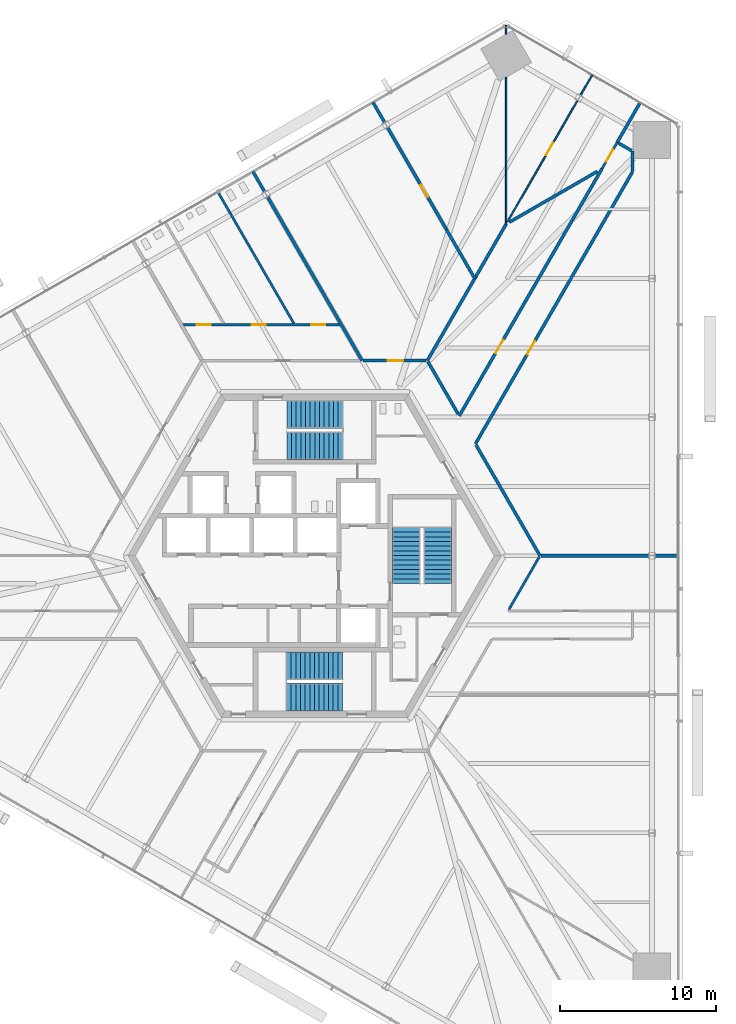
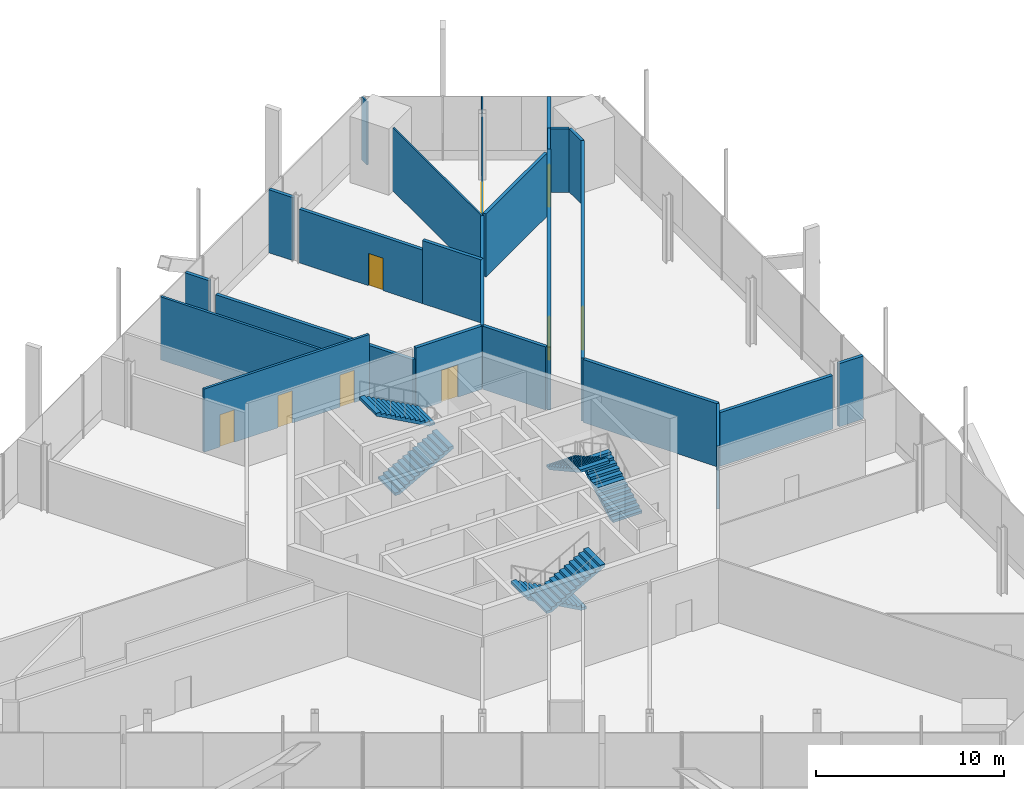
# One storey, part 14 of 19: 25 walls, 9 doors, 6 stair flights, 9 openings, 3 elements without a shape of their own.
"""IFC4 building model written with IfcOpenShell, lengths in metres."""

from ifc_helpers import new_model, si_unit, direction, frame, frame_2d, origin, place, context, subcontext, project, spatial, polyline, rectangle, outline, extrude, source, transform, mapped, material, layer, layer_set, type_object, element, fill, aggregate, save


model = new_model("IFC4")

# Units and contexts
model_context = context("Model", 3, precision=1e-05, world=origin(), true_north=direction((0.0, 1.0)))
body_context = subcontext(model_context, "Body", "Model", "MODEL_VIEW")
ifc_project = project(units=[si_unit("LENGTHUNIT", "METRE"), si_unit("AREAUNIT", "SQUARE_METRE"), si_unit("VOLUMEUNIT", "CUBIC_METRE"), si_unit("PLANEANGLEUNIT", "RADIAN"), si_unit("MASSUNIT", "GRAM", prefix="KILO")], contexts=[model_context])

# Site, building, storey
site_placement = place(None, origin())
site = spatial("IfcSite", under=ifc_project, at=site_placement, CompositionType="ELEMENT")
building_placement = place(site_placement, origin())
building = spatial("IfcBuilding", under=site, at=building_placement, Name="Triune Harvest Tower", CompositionType="ELEMENT")
storey_placement = place(building_placement, frame((0.0, 0.0, 24.60009765625)))
storey = spatial("IfcBuildingStorey", under=building, at=storey_placement, Name="L05", CompositionType="ELEMENT", Elevation=24.60009765625)

# Wall
ifc_material_1 = material(Name="Gypsum board on steel studs", Category="steel")
ifc_layer_1 = layer(ifc_material_1, 0.199951171875)
ifc_layer_set_1 = layer_set([ifc_layer_1], Name="Gypsum board on steel studs")
wall_type_1 = type_object("IfcWallType", Name="Fire Wall 200 mm", PredefinedType="PARTITIONING", material=ifc_layer_set_1)
shared_shape_1 = source(origin(), body_context, "Body", "SweptSolid", [
    extrude(rectangle(XDim=12.14794921875, YDim=0.199951171875, at=frame_2d((6.073974609375, 0.0))), origin(), (0.0, 0.0, 1.0), 3.343017578125),
])
wall_1_placement = place(storey_placement, frame((-3.02685546875, 23.062744140625, 0.0), z_axis=(0.0, 0.0, 1.0), x_axis=(0.499997320042, -0.866026951053, 0.0)))
element("IfcWall", 1, at=wall_1_placement, inside=storey, type_object=wall_type_1, Name="Partition L05 012", PredefinedType="PARTITIONING", context=body_context, shape_type="MappedRepresentation", body=[
    mapped(shared_shape_1, transform((0.0, 0.0, 0.0), scale=1.0)),
])

# Wall, opening, door
shared_shape_2 = source(origin(), body_context, "Body", "SweptSolid", [
    extrude(rectangle(XDim=7.568359375, YDim=0.199951171875, at=frame_2d((3.7841796875, 0.0))), origin(), (0.0, 0.0, 1.0), 3.48779296875),
])
wall_2_placement = place(storey_placement, frame((4.689453125, 27.517578125, 0.0), z_axis=(0.0, 0.0, 1.0), x_axis=(0.499997032024, -0.866027117339, 0.0)))
wall_2 = element("IfcWall", 2, at=wall_2_placement, inside=storey, type_object=wall_type_1, Name="Partition L05 016", PredefinedType="PARTITIONING", context=body_context, shape_type="MappedRepresentation", body=[
    mapped(shared_shape_2, transform((0.0, 0.0, 0.0), scale=1.0)),
])
opening_1_placement = place(wall_2_placement, frame((4.248046875, 0.0, 0.0)))
opening_1 = element("IfcOpeningElement", 3, at=opening_1_placement, cuts=wall_2, Name="Opening L05-008", PredefinedType="OPENING", context=body_context, shape_type="SweptSolid", body=[
    extrude(rectangle(XDim=0.89990234375, YDim=2.10009765625, at=frame_2d((0.449951171875, 1.050048828125))), frame((0.0, 0.10986328125, 0.0), z_axis=(0.0, -1.0, 0.0), x_axis=(1.0, 0.0, 0.0)), (0.0, 0.0, 1.0), 0.219970703125),
])
ifc_material_2 = material(Name="Timber and steel door set", Category="steel")
door_type_1 = type_object("IfcDoorType", Name="Single leaf door FD60 left hand 900 x 2100", OperationType="SINGLE_SWING_LEFT", PredefinedType="DOOR", material=ifc_material_2)
door_1_placement = place(opening_1_placement, origin())
door_1 = element("IfcDoor", 4, at=door_1_placement, inside=storey, type_object=door_type_1, Name="Door L05-008 Cold Store 05.08", OperationType="SINGLE_SWING_LEFT", OverallHeight=2.10009765625, OverallWidth=0.89990234375, PredefinedType="DOOR", context=body_context, shape_type="SweptSolid", body=[
    extrude(rectangle(XDim=0.89990234375, YDim=2.10009765625, at=frame_2d((0.449951171875, 1.050048828125))), frame((0.0, 0.02490234375, 0.0), z_axis=(0.0, -1.0, 0.0), x_axis=(1.0, 0.0, 0.0)), (0.0, 0.0, 1.0), 0.050048828125),
])
fill(opening_1, door_1)

# Walls
shared_shape_3 = source(origin(), body_context, "Body", "SweptSolid", [
    extrude(rectangle(XDim=8.229248046875, YDim=0.199951171875, at=frame_2d((4.11474609375, 0.0))), origin(), (0.0, 0.0, 1.0), 4.099853515625),
])
wall_3_placement = place(storey_placement, frame((10.367919921875, 7.126708984375, 0.0), z_axis=(0.0, 0.0, 1.0), x_axis=(0.500012644715, -0.866018103232, 0.0)))
element("IfcWall", 5, at=wall_3_placement, inside=storey, type_object=wall_type_1, Name="Partition L05 014", PredefinedType="PARTITIONING", context=body_context, shape_type="MappedRepresentation", body=[
    mapped(shared_shape_3, transform((0.0, 0.0, 0.0), scale=1.0)),
])
shared_shape_4 = source(origin(), body_context, "Body", "SweptSolid", [
    extrude(rectangle(XDim=1.49853515625, YDim=0.199951171875, at=frame_2d((0.749267578125, 0.0))), origin(), (0.0, 0.0, 1.0), 4.099853515625),
])
for number, where, z_axis, x_axis, name in (
    (6, (3.746826171875, 29.150146484375, 0.0), (0.0, 0.0, 1.0), (0.499976292358, -0.866039090965, 0.0), "Partition L05 015"),
    (7, (21.872802734375, 0.0, 0.0), (0.0, 0.0, 1.0), (1.0, 0.0, 0.0), "Partition L05 037"),
):
    element("IfcWall", number, at=place(storey_placement, frame(where, z_axis=z_axis, x_axis=x_axis)), inside=storey, type_object=wall_type_1, Name=name, PredefinedType="PARTITIONING", context=body_context, shape_type="MappedRepresentation", body=[
        mapped(shared_shape_4, transform((0.0, 0.0, 0.0), scale=1.0)),
    ])
shared_shape_5 = source(origin(), body_context, "Body", "SweptSolid", [
    extrude(rectangle(XDim=6.933837890625, YDim=0.199951171875, at=frame_2d((3.466796875, 0.0))), origin(), (0.0, 0.0, 1.0), 3.48779296875),
])
wall_4_placement = place(storey_placement, frame((14.552490234375, 0.0, 0.0), z_axis=(0.0, 0.0, 1.0), x_axis=(1.0, 0.0, 0.0)))
element("IfcWall", 8, at=wall_4_placement, inside=storey, type_object=wall_type_1, Name="Partition L05 036", PredefinedType="PARTITIONING", context=body_context, shape_type="MappedRepresentation", body=[
    mapped(shared_shape_5, transform((0.0, 0.0, 0.0), scale=1.0)),
])
ifc_material_3 = material(Name="Gypsum board on steel studs", Category="steel")
ifc_layer_2 = layer(ifc_material_3, 0.10009765625)
ifc_layer_set_2 = layer_set([ifc_layer_2], Name="Gypsum board on steel studs")
wall_type_2 = type_object("IfcWallType", Name="Partition 100 mm", PredefinedType="PARTITIONING", material=ifc_layer_set_2)
shared_shape_6 = source(origin(), body_context, "Body", "SweptSolid", [
    extrude(rectangle(XDim=1.498779296875, YDim=0.10009765625, at=frame_2d((0.74951171875, 0.0))), origin(), (0.0, 0.0, 1.0), 4.099853515625),
])
wall_5_placement = place(storey_placement, frame((17.0908203125, 29.602294921875, 0.0), z_axis=(0.0, 0.0, 1.0), x_axis=(0.499905760005, 0.866079806435, 0.0)))
element("IfcWall", 9, at=wall_5_placement, inside=storey, type_object=wall_type_2, Name="Partition L05 058", PredefinedType="PARTITIONING", context=body_context, shape_type="MappedRepresentation", body=[
    mapped(shared_shape_6, transform((0.0, 0.0, 0.0), scale=1.0)),
])
ifc_material_4 = material(Name="Gypsum board on steel studs", Category="steel")
ifc_layer_3 = layer(ifc_material_4, 0.14990234375)
ifc_layer_set_3 = layer_set([ifc_layer_3], Name="Gypsum board on steel studs")
wall_type_3 = type_object("IfcWallType", Name="Fire Partition 150 mm", PredefinedType="PARTITIONING", material=ifc_layer_set_3)
shared_shape_7 = source(origin(), body_context, "Body", "SweptSolid", [
    extrude(rectangle(XDim=9.763916015625, YDim=0.14990234375, at=frame_2d((4.8818359375, 0.0))), origin(), (0.0, 0.0, 1.0), 4.099853515625),
])
wall_6_placement = place(storey_placement, frame((-6.224609375, 23.393310546875, 0.0), z_axis=(0.0, 0.0, 1.0), x_axis=(0.499990124937, -0.86603110508, 0.0)))
element("IfcWall", 10, at=wall_6_placement, inside=storey, type_object=wall_type_3, Name="Partition L05 010", PredefinedType="PARTITIONING", context=body_context, shape_type="MappedRepresentation", body=[
    mapped(shared_shape_7, transform((0.0, 0.0, 0.0), scale=1.0)),
])
shared_shape_8 = source(origin(), body_context, "Body", "SweptSolid", [
    extrude(rectangle(XDim=1.498779296875, YDim=0.199951171875, at=frame_2d((0.74951171875, 0.0))), origin(), (0.0, 0.0, 1.0), 4.099853515625),
])
wall_7_placement = place(storey_placement, frame((-3.969482421875, 24.6953125, 0.0), z_axis=(0.0, 0.0, 1.0), x_axis=(0.499905760005, -0.866079806435, 0.0)))
element("IfcWall", 11, at=wall_7_placement, inside=storey, type_object=wall_type_1, Name="Partition L05 011", PredefinedType="PARTITIONING", context=body_context, shape_type="MappedRepresentation", body=[
    mapped(shared_shape_8, transform((0.0, 0.0, 0.0), scale=1.0)),
])
shared_shape_9 = source(origin(), body_context, "Body", "SweptSolid", [
    extrude(rectangle(XDim=3.885009765625, YDim=0.199951171875, at=frame_2d((1.9423828125, 0.0))), origin(), (0.0, 0.0, 1.0), 4.099853515625),
])
wall_8_placement = place(storey_placement, frame((7.2763671875, 12.481689453125, 0.0), z_axis=(0.0, 0.0, 1.0), x_axis=(0.499978127697, -0.866038031396, 0.0)))
element("IfcWall", 12, at=wall_8_placement, inside=storey, type_object=wall_type_1, Name="Partition L05 013", PredefinedType="PARTITIONING", context=body_context, shape_type="MappedRepresentation", body=[
    mapped(shared_shape_9, transform((0.0, 0.0, 0.0), scale=1.0)),
])
shared_shape_10 = source(origin(), body_context, "Body", "SweptSolid", [
    extrude(rectangle(XDim=3.62939453125, YDim=0.199951171875, at=frame_2d((1.814697265625, 0.0))), origin(), (0.0, 0.0, 1.0), 4.099853515625),
])
wall_9_placement = place(storey_placement, frame((8.4736328125, 20.963134765625, 0.0), z_axis=(0.0, 0.0, 1.0), x_axis=(0.500009718699, -0.866019792618, 0.0)))
element("IfcWall", 13, at=wall_9_placement, inside=storey, type_object=wall_type_1, Name="Partition L05 016a", PredefinedType="PARTITIONING", context=body_context, shape_type="MappedRepresentation", body=[
    mapped(shared_shape_10, transform((0.0, 0.0, 0.0), scale=1.0)),
])
shared_shape_11 = source(origin(), body_context, "Body", "SweptSolid", [
    extrude(rectangle(XDim=1.303466796875, YDim=0.199951171875, at=frame_2d((0.65185546875, 0.0))), origin(), (0.0, 0.0, 1.0), 4.099853515625),
])
wall_10_placement = place(storey_placement, frame((20.429443359375, 24.704833984375, 0.0), z_axis=(0.0, 0.0, 1.0), x_axis=(0.0, 1.0, 0.0)))
element("IfcWall", 14, at=wall_10_placement, inside=storey, type_object=wall_type_1, Name="Partition L05 062", PredefinedType="PARTITIONING", context=body_context, shape_type="MappedRepresentation", body=[
    mapped(shared_shape_11, transform((0.0, 0.0, 0.0), scale=1.0)),
])
shared_shape_12 = source(origin(), body_context, "Body", "SweptSolid", [
    extrude(rectangle(XDim=0.9833984375, YDim=0.199951171875, at=frame_2d((0.49169921875, 0.0))), origin(), (0.0, 0.0, 1.0), 4.099853515625),
])
wall_11_placement = place(storey_placement, frame((19.517333984375, 26.534912109375, 0.0), z_axis=(0.0, 0.0, 1.0), x_axis=(0.866003658127, -0.500037662692, 0.0)))
element("IfcWall", 15, at=wall_11_placement, inside=storey, type_object=wall_type_1, Name="Partition L05 021", PredefinedType="PARTITIONING", context=body_context, shape_type="MappedRepresentation", body=[
    mapped(shared_shape_12, transform((0.0, 0.0, 0.0), scale=1.0)),
])
shared_shape_13 = source(origin(), body_context, "Body", "SweptSolid", [
    extrude(rectangle(XDim=3.925048828125, YDim=0.14990234375, at=frame_2d((1.96240234375, 0.0))), origin(), (0.0, 0.0, 1.0), 4.099853515625),
])
wall_12_placement = place(storey_placement, frame((12.485107421875, -3.459716796875, 0.0), z_axis=(0.0, 0.0, 1.0), x_axis=(0.499979109433, 0.866037464623, 0.0)))
element("IfcWall", 16, at=wall_12_placement, inside=storey, type_object=wall_type_3, Name="Partition L05 044", PredefinedType="PARTITIONING", context=body_context, shape_type="MappedRepresentation", body=[
    mapped(shared_shape_13, transform((0.0, 0.0, 0.0), scale=1.0)),
])

# Wall, opening, door
shared_shape_14 = source(origin(), body_context, "Body", "SweptSolid", [
    extrude(rectangle(XDim=4.057861328125, YDim=0.199951171875, at=frame_2d((2.02880859375, 0.0))), origin(), (0.0, 0.0, 1.0), 4.099853515625),
])
wall_13_placement = place(storey_placement, frame((3.113525390625, 12.542236328125, 0.0), z_axis=(0.0, 0.0, 1.0), x_axis=(1.0, 0.0, 0.0)))
wall_13 = element("IfcWall", 17, at=wall_13_placement, inside=storey, type_object=wall_type_1, Name="Partition L05 039", PredefinedType="PARTITIONING", context=body_context, shape_type="MappedRepresentation", body=[
    mapped(shared_shape_14, transform((0.0, 0.0, 0.0), scale=1.0)),
])
opening_2_placement = place(wall_13_placement, frame((1.57763671875, 0.0, 0.0)))
opening_2 = element("IfcOpeningElement", 18, at=opening_2_placement, cuts=wall_13, Name="Opening L05-009", PredefinedType="OPENING", context=body_context, shape_type="SweptSolid", body=[
    extrude(rectangle(XDim=1.0, YDim=2.10009765625, at=frame_2d((0.5, 1.050048828125))), frame((0.0, 0.10986328125, 0.0), z_axis=(0.0, -1.0, 0.0), x_axis=(1.0, 0.0, 0.0)), (0.0, 0.0, 1.0), 0.219970703125),
])
ifc_material_5 = material(Name="Timber and steel door set", Category="steel")
door_type_2 = type_object("IfcDoorType", Name="Wide single leaf door FD60 right hand 1000 x 2100", OperationType="SINGLE_SWING_RIGHT", PredefinedType="DOOR", material=ifc_material_5)
door_2_placement = place(opening_2_placement, origin())
door_2 = element("IfcDoor", 19, at=door_2_placement, inside=storey, type_object=door_type_2, Name="Door L05-009 Growing Room 05.09", OperationType="SINGLE_SWING_RIGHT", OverallHeight=2.10009765625, OverallWidth=1.0, PredefinedType="DOOR", context=body_context, shape_type="SweptSolid", body=[
    extrude(rectangle(XDim=1.0, YDim=2.10009765625, at=frame_2d((0.5, 1.050048828125))), frame((0.0, 0.02490234375, 0.0), z_axis=(0.0, -1.0, 0.0), x_axis=(1.0, 0.0, 0.0)), (0.0, 0.0, 1.0), 0.050048828125),
])
fill(opening_2, door_2)

# Wall, openings, doors
shared_shape_15 = source(origin(), body_context, "Body", "SweptSolid", [
    extrude(rectangle(XDim=10.158203125, YDim=0.14990234375, at=frame_2d((5.0791015625, 0.0))), origin(), (0.0, 0.0, 1.0), 4.099853515625),
])
wall_14_placement = place(storey_placement, frame((-8.569091796875, 14.84228515625, 0.0), z_axis=(0.0, 0.0, 1.0), x_axis=(1.0, 0.0, 0.0)))
wall_14 = element("IfcWall", 20, at=wall_14_placement, inside=storey, type_object=wall_type_3, Name="Partition L05 040", PredefinedType="PARTITIONING", context=body_context, shape_type="MappedRepresentation", body=[
    mapped(shared_shape_15, transform((0.0, 0.0, 0.0), scale=1.0)),
])
opening_3_placement = place(wall_14_placement, frame((8.33837890625, 0.0, 0.0)))
opening_3 = element("IfcOpeningElement", 21, at=opening_3_placement, cuts=wall_14, Name="Opening L05-011", PredefinedType="OPENING", context=body_context, shape_type="SweptSolid", body=[
    extrude(rectangle(XDim=0.89990234375, YDim=2.10009765625, at=frame_2d((0.449951171875, 1.050048828125))), frame((0.0, 0.0849609375, 0.0), z_axis=(0.0, -1.0, 0.0), x_axis=(1.0, 0.0, 0.0)), (0.0, 0.0, 1.0), 0.169921875),
])
opening_4_placement = place(wall_14_placement, frame((4.531494140625, 0.0, 0.0)))
opening_4 = element("IfcOpeningElement", 22, at=opening_4_placement, cuts=wall_14, Name="Opening L05-012", PredefinedType="OPENING", context=body_context, shape_type="SweptSolid", body=[
    extrude(rectangle(XDim=0.89990234375, YDim=2.10009765625, at=frame_2d((0.449951171875, 1.050048828125))), frame((0.0, 0.0849609375, 0.0), z_axis=(0.0, -1.0, 0.0), x_axis=(1.0, 0.0, 0.0)), (0.0, 0.0, 1.0), 0.169921875),
])
opening_5_placement = place(wall_14_placement, frame((0.97119140625, 0.0, 0.0)))
opening_5 = element("IfcOpeningElement", 23, at=opening_5_placement, cuts=wall_14, Name="Opening L05-013", PredefinedType="OPENING", context=body_context, shape_type="SweptSolid", body=[
    extrude(rectangle(XDim=0.89990234375, YDim=2.10009765625, at=frame_2d((0.449951171875, 1.050048828125))), frame((0.0, 0.0849609375, 0.0), z_axis=(0.0, -1.0, 0.0), x_axis=(1.0, 0.0, 0.0)), (0.0, 0.0, 1.0), 0.169921875),
])
ifc_material_6 = material(Name="Timber and steel door set", Category="steel")
door_type_3 = type_object("IfcDoorType", Name="Single leaf door FD30 left hand 900 x 2100", OperationType="SINGLE_SWING_LEFT", PredefinedType="DOOR", material=ifc_material_6)
door_3_placement = place(opening_4_placement, origin())
door_3 = element("IfcDoor", 24, at=door_3_placement, inside=storey, type_object=door_type_3, Name="Door L05-012 Men's WC 05.12", OperationType="SINGLE_SWING_LEFT", OverallHeight=2.10009765625, OverallWidth=0.89990234375, PredefinedType="DOOR", context=body_context, shape_type="SweptSolid", body=[
    extrude(rectangle(XDim=0.89990234375, YDim=2.10009765625, at=frame_2d((0.449951171875, 1.050048828125))), frame((0.0, 0.02490234375, 0.0), z_axis=(0.0, -1.0, 0.0), x_axis=(1.0, 0.0, 0.0)), (0.0, 0.0, 1.0), 0.050048828125),
])
fill(opening_4, door_3)
door_4_placement = place(opening_5_placement, origin())
door_4 = element("IfcDoor", 25, at=door_4_placement, inside=storey, type_object=door_type_3, Name="Door L05-013 Accessible WC 05.13", OperationType="SINGLE_SWING_LEFT", OverallHeight=2.10009765625, OverallWidth=0.89990234375, PredefinedType="DOOR", context=body_context, shape_type="SweptSolid", body=[
    extrude(rectangle(XDim=0.89990234375, YDim=2.10009765625, at=frame_2d((0.449951171875, 1.050048828125))), frame((0.0, 0.02490234375, 0.0), z_axis=(0.0, -1.0, 0.0), x_axis=(1.0, 0.0, 0.0)), (0.0, 0.0, 1.0), 0.050048828125),
])
fill(opening_5, door_4)
ifc_material_7 = material(Name="Timber and steel door set", Category="steel")
door_type_4 = type_object("IfcDoorType", Name="Single leaf door FD30 right hand 900 x 2100", OperationType="SINGLE_SWING_RIGHT", PredefinedType="DOOR", material=ifc_material_7)
door_5_placement = place(opening_3_placement, origin())
door_5 = element("IfcDoor", 26, at=door_5_placement, inside=storey, type_object=door_type_4, Name="Door L05-011 Women's WC 05.11", OperationType="SINGLE_SWING_RIGHT", OverallHeight=2.10009765625, OverallWidth=0.89990234375, PredefinedType="DOOR", context=body_context, shape_type="SweptSolid", body=[
    extrude(rectangle(XDim=0.89990234375, YDim=2.10009765625, at=frame_2d((0.449951171875, 1.050048828125))), frame((0.0, 0.02490234375, 0.0), z_axis=(0.0, -1.0, 0.0), x_axis=(1.0, 0.0, 0.0)), (0.0, 0.0, 1.0), 0.050048828125),
])
fill(opening_3, door_5)

# Wall
shared_shape_16 = source(origin(), body_context, "Body", "SweptSolid", [
    extrude(rectangle(XDim=6.55029296875, YDim=0.199951171875, at=frame_2d((3.275146484375, 0.0))), origin(), (0.0, 0.0, 1.0), 4.099853515625),
])
wall_15_placement = place(storey_placement, frame((12.50830078125, 21.434814453125, 0.0), z_axis=(0.0, 0.0, 1.0), x_axis=(0.866021102686, 0.500007449647, 0.0)))
element("IfcWall", 27, at=wall_15_placement, inside=storey, type_object=wall_type_1, Name="Partition L05 042", PredefinedType="PARTITIONING", context=body_context, shape_type="MappedRepresentation", body=[
    mapped(shared_shape_16, transform((0.0, 0.0, 0.0), scale=1.0)),
])

# Wall, opening, door
shared_shape_17 = source(origin(), body_context, "Body", "SweptSolid", [
    extrude(rectangle(XDim=20.19287109375, YDim=0.199951171875, at=frame_2d((10.096435546875, 0.0))), origin(), (0.0, 0.0, 1.0), 4.099853515625),
])
wall_16_placement = place(storey_placement, frame((10.3330078125, 7.187255859375, 0.0), z_axis=(0.0, 0.0, 1.0), x_axis=(0.499999796593, 0.866025521222, 0.0)))
wall_16 = element("IfcWall", 28, at=wall_16_placement, inside=storey, type_object=wall_type_1, Name="Partition L05 048", PredefinedType="PARTITIONING", context=body_context, shape_type="MappedRepresentation", body=[
    mapped(shared_shape_17, transform((0.0, 0.0, 0.0), scale=1.0)),
])
opening_6_placement = place(wall_16_placement, frame((6.63916015625, 0.0, 0.0)))
opening_6 = element("IfcOpeningElement", 29, at=opening_6_placement, cuts=wall_16, Name="Opening L05-005", PredefinedType="OPENING", context=body_context, shape_type="SweptSolid", body=[
    extrude(rectangle(XDim=1.0, YDim=2.10009765625, at=frame_2d((0.5, 1.050048828125))), frame((0.0, 0.10986328125, 0.0), z_axis=(0.0, -1.0, 0.0), x_axis=(1.0, 0.0, 0.0)), (0.0, 0.0, 1.0), 0.219970703125),
])
door_6_placement = place(opening_6_placement, origin())
door_6 = element("IfcDoor", 30, at=door_6_placement, inside=storey, type_object=door_type_2, Name="Door L05-005 Growing Room 05.05", OperationType="SINGLE_SWING_RIGHT", OverallHeight=2.10009765625, OverallWidth=1.0, PredefinedType="DOOR", context=body_context, shape_type="SweptSolid", body=[
    extrude(rectangle(XDim=1.0, YDim=2.10009765625, at=frame_2d((0.5, 1.050048828125))), frame((0.0, 0.02490234375, 0.0), z_axis=(0.0, -1.0, 0.0), x_axis=(1.0, 0.0, 0.0)), (0.0, 0.0, 1.0), 0.050048828125),
])
fill(opening_6, door_6)

shared_shape_18 = source(origin(), body_context, "Body", "SweptSolid", [
    extrude(rectangle(XDim=18.3515625, YDim=0.199951171875, at=frame_2d((9.17578125, 0.0))), origin(), (0.0, 0.0, 1.0), 4.099853515625),
])
wall_17_placement = place(storey_placement, frame((9.2939453125, 8.9873046875, 0.0), z_axis=(0.0, 0.0, 1.0), x_axis=(0.500002290144, 0.866024081565, 0.0)))
wall_17 = element("IfcWall", 31, at=wall_17_placement, inside=storey, type_object=wall_type_1, Name="Partition L05 051", PredefinedType="PARTITIONING", context=body_context, shape_type="MappedRepresentation", body=[
    mapped(shared_shape_18, transform((0.0, 0.0, 0.0), scale=1.0)),
])
opening_7_placement = place(wall_17_placement, frame((4.649169921875, 0.0, 0.0)))
opening_7 = element("IfcOpeningElement", 32, at=opening_7_placement, cuts=wall_17, Name="Opening L05-004", PredefinedType="OPENING", context=body_context, shape_type="SweptSolid", body=[
    extrude(rectangle(XDim=1.0, YDim=2.10009765625, at=frame_2d((0.5, 1.050048828125))), frame((0.0, 0.10986328125, 0.0), z_axis=(0.0, -1.0, 0.0), x_axis=(1.0, 0.0, 0.0)), (0.0, 0.0, 1.0), 0.219970703125),
])
ifc_material_8 = material(Name="Timber and steel door set", Category="steel")
door_type_5 = type_object("IfcDoorType", Name="Wide single leaf door FD60 left hand 1000 x 2100", OperationType="SINGLE_SWING_LEFT", PredefinedType="DOOR", material=ifc_material_8)
door_7_placement = place(opening_7_placement, origin())
door_7 = element("IfcDoor", 33, at=door_7_placement, inside=storey, type_object=door_type_5, Name="Door L05-004 Growing Room 05.04", OperationType="SINGLE_SWING_LEFT", OverallHeight=2.10009765625, OverallWidth=1.0, PredefinedType="DOOR", context=body_context, shape_type="SweptSolid", body=[
    extrude(rectangle(XDim=1.0, YDim=2.10009765625, at=frame_2d((0.5, 1.050048828125))), frame((0.0, 0.02490234375, 0.0), z_axis=(0.0, -1.0, 0.0), x_axis=(1.0, 0.0, 0.0)), (0.0, 0.0, 1.0), 0.050048828125),
])
fill(opening_7, door_7)

shared_shape_19 = source(origin(), body_context, "Body", "SweptSolid", [
    extrude(rectangle(XDim=1.954833984375, YDim=0.14990234375, at=frame_2d((0.9775390625, 0.0))), origin(), (0.0, 0.0, 1.0), 4.099853515625),
])
wall_18_placement = place(storey_placement, frame((18.4697265625, 24.880126953125, 0.0), z_axis=(0.0, 0.0, 1.0), x_axis=(0.500061185694, 0.865990075325, 0.0)))
wall_18 = element("IfcWall", 34, at=wall_18_placement, inside=storey, type_object=wall_type_3, Name="Partition L05 052", PredefinedType="PARTITIONING", context=body_context, shape_type="MappedRepresentation", body=[
    mapped(shared_shape_19, transform((0.0, 0.0, 0.0), scale=1.0)),
])
opening_8_placement = place(wall_18_placement, frame((0.516845703125, 0.0, 0.0)))
opening_8 = element("IfcOpeningElement", 35, at=opening_8_placement, cuts=wall_18, Name="Opening L05-006", PredefinedType="OPENING", context=body_context, shape_type="SweptSolid", body=[
    extrude(rectangle(XDim=0.89990234375, YDim=2.10009765625, at=frame_2d((0.449951171875, 1.050048828125))), frame((0.0, 0.0849609375, 0.0), z_axis=(0.0, -1.0, 0.0), x_axis=(1.0, 0.0, 0.0)), (0.0, 0.0, 1.0), 0.169921875),
])
door_8_placement = place(opening_8_placement, origin())
door_8 = element("IfcDoor", 36, at=door_8_placement, inside=storey, type_object=door_type_3, Name="Door L05-006 Packing Room 05.06", OperationType="SINGLE_SWING_LEFT", OverallHeight=2.10009765625, OverallWidth=0.89990234375, PredefinedType="DOOR", context=body_context, shape_type="SweptSolid", body=[
    extrude(rectangle(XDim=0.89990234375, YDim=2.10009765625, at=frame_2d((0.449951171875, 1.050048828125))), frame((0.0, 0.02490234375, 0.0), z_axis=(0.0, -1.0, 0.0), x_axis=(1.0, 0.0, 0.0)), (0.0, 0.0, 1.0), 0.050048828125),
])
fill(opening_8, door_8)

# Walls
shared_shape_20 = source(origin(), body_context, "Body", "SweptSolid", [
    extrude(rectangle(XDim=2.94384765625, YDim=0.199951171875, at=frame_2d((1.471923828125, 0.0))), origin(), (0.0, 0.0, 1.0), 4.099853515625),
])
wall_19_placement = place(storey_placement, frame((19.447265625, 26.572998046875, 0.0), z_axis=(0.0, 0.0, 1.0), x_axis=(0.499983277472, 0.866035058325, 0.0)))
element("IfcWall", 37, at=wall_19_placement, inside=storey, type_object=wall_type_1, Name="Partition L05 053", PredefinedType="PARTITIONING", context=body_context, shape_type="MappedRepresentation", body=[
    mapped(shared_shape_20, transform((0.0, 0.0, 0.0), scale=1.0)),
])
shared_shape_21 = source(origin(), body_context, "Body", "SweptSolid", [
    extrude(rectangle(XDim=10.1357421875, YDim=0.199951171875, at=frame_2d((5.06787109375, 0.0))), origin(), (0.0, 0.0, 1.0), 4.099853515625),
])
wall_20_placement = place(storey_placement, frame((7.2412109375, 12.542236328125, 0.0), z_axis=(0.0, 0.0, 1.0), x_axis=(0.49999906822, 0.866025941747, 0.0)))
element("IfcWall", 38, at=wall_20_placement, inside=storey, type_object=wall_type_1, Name="Partition L05 056", PredefinedType="PARTITIONING", context=body_context, shape_type="MappedRepresentation", body=[
    mapped(shared_shape_21, transform((0.0, 0.0, 0.0), scale=1.0)),
])

# Wall, opening, door
shared_shape_22 = source(origin(), body_context, "Body", "SweptSolid", [
    extrude(rectangle(XDim=9.027099609375, YDim=0.10009765625, at=frame_2d((4.513671875, 0.0))), origin(), (0.0, 0.0, 1.0), 4.099853515625),
])
wall_21_placement = place(storey_placement, frame((12.384033203125, 21.449951171875, 0.0), z_axis=(0.0, 0.0, 1.0), x_axis=(0.500013529965, 0.866017592115, 0.0)))
wall_21 = element("IfcWall", 39, at=wall_21_placement, inside=storey, type_object=wall_type_2, Name="Partition L05 057", PredefinedType="PARTITIONING", context=body_context, shape_type="MappedRepresentation", body=[
    mapped(shared_shape_22, transform((0.0, 0.0, 0.0), scale=1.0)),
])
opening_9_placement = place(wall_21_placement, frame((4.96240234375, 0.0, 0.0)))
opening_9 = element("IfcOpeningElement", 40, at=opening_9_placement, cuts=wall_21, Name="Opening L05-007", PredefinedType="OPENING", context=body_context, shape_type="SweptSolid", body=[
    extrude(rectangle(XDim=0.89990234375, YDim=2.10009765625, at=frame_2d((0.449951171875, 1.050048828125))), frame((0.0, 0.06005859375, 0.0), z_axis=(0.0, -1.0, 0.0), x_axis=(1.0, 0.0, 0.0)), (0.0, 0.0, 1.0), 0.1201171875),
])
ifc_material_9 = material(Name="Timber and steel door set", Category="steel")
door_type_6 = type_object("IfcDoorType", Name="Single leaf door right hand 900 x 2100", OperationType="SINGLE_SWING_RIGHT", PredefinedType="DOOR", material=ifc_material_9)
door_9_placement = place(opening_9_placement, origin())
door_9 = element("IfcDoor", 41, at=door_9_placement, inside=storey, type_object=door_type_6, Name="Door L05-007 Packing Room 05.07", OperationType="SINGLE_SWING_RIGHT", OverallHeight=2.10009765625, OverallWidth=0.89990234375, PredefinedType="DOOR", context=body_context, shape_type="SweptSolid", body=[
    extrude(rectangle(XDim=0.89990234375, YDim=2.10009765625, at=frame_2d((0.449951171875, 1.050048828125))), frame((0.0, 0.02490234375, 0.0), z_axis=(0.0, -1.0, 0.0), x_axis=(1.0, 0.0, 0.0)), (0.0, 0.0, 1.0), 0.050048828125),
])
fill(opening_9, door_9)

# Walls
shared_shape_23 = source(origin(), body_context, "Body", "SweptSolid", [
    extrude(rectangle(XDim=9.44580078125, YDim=0.10009765625, at=frame_2d((4.722900390625, 0.0))), origin(), (0.0, 0.0, 1.0), 4.099853515625),
])
wall_22_placement = place(storey_placement, frame((12.30908203125, 21.320068359375, 0.0), z_axis=(0.0, 0.0, 1.0), x_axis=(0.0, 1.0, 0.0)))
element("IfcWall", 42, at=wall_22_placement, inside=storey, type_object=wall_type_2, Name="Partition L05 063", PredefinedType="PARTITIONING", context=body_context, shape_type="MappedRepresentation", body=[
    mapped(shared_shape_23, transform((0.0, 0.0, 0.0), scale=1.0)),
])
shared_shape_24 = source(origin(), body_context, "Body", "SweptSolid", [
    extrude(rectangle(XDim=0.579345703125, YDim=0.10009765625, at=frame_2d((0.28955078125, 0.0))), origin(), (0.0, 0.0, 1.0), 4.099853515625),
])
wall_23_placement = place(storey_placement, frame((12.30908203125, 33.51416015625, 0.0), z_axis=(0.0, 0.0, 1.0), x_axis=(0.0, 1.0, 0.0)))
element("IfcWall", 43, at=wall_23_placement, inside=storey, type_object=wall_type_2, Name="Partition L05 064", PredefinedType="PARTITIONING", context=body_context, shape_type="MappedRepresentation", body=[
    mapped(shared_shape_24, transform((0.0, 0.0, 0.0), scale=1.0)),
])

# Stair, stair flights
ifc_material_10 = material(Name="Concrete 40 MPa", Category="concrete")
stair_type = type_object("IfcStairType", Name="Exit stair 1800 half turn", PredefinedType="HALF_TURN_STAIR", material=ifc_material_10)
stair_1_placement = place(storey_placement, origin())
stair_1 = element("IfcStair", 44, at=stair_1_placement, inside=storey, type_object=stair_type, Name="Exit stair north", PredefinedType="HALF_TURN_STAIR")
ifc_material_11 = material(Name="Concrete 40 MPa", Category="concrete")
stair_flight_type = type_object("IfcStairFlightType", Name="Stair flight 1800", PredefinedType="STRAIGHT", material=ifc_material_11)
shared_shape_25 = source(origin(), body_context, "Body", "SweptSolid", [
    extrude(outline(polyline([(0.0, 0.0), (0.0, 0.165283203125), (0.300048828125, 0.165283203125), (0.300048828125, 0.330810546875), (0.60009765625, 0.330810546875), (0.60009765625, 0.49609375), (0.89990234375, 0.49609375), (0.89990234375, 0.66162109375), (1.199951171875, 0.66162109375), (1.199951171875, 0.826904296875), (1.5, 0.826904296875), (1.5, 0.9921875), (1.800048828125, 0.9921875), (1.800048828125, 1.15771484375), (2.10009765625, 1.15771484375), (2.10009765625, 1.322998046875), (2.39990234375, 1.322998046875), (2.39990234375, 1.488525390625), (2.699951171875, 1.488525390625), (2.699951171875, 1.65380859375), (3.0, 1.65380859375), (3.0, 1.819091796875), (3.300048828125, 1.819091796875), (3.300048828125, 1.984619140625), (3.60009765625, 1.984619140625), (3.60009765625, 2.14990234375), (3.60009765625, 1.8134765625), (0.310546875, 0.0), (0.0, 0.0)])), frame((0.0, 0.89990234375, 0.0), z_axis=(0.0, -1.0, 0.0), x_axis=(1.0, 0.0, 0.0)), (0.0, 0.0, 1.0), 1.800048828125),
])
stair_flight_1_placement = place(storey_placement, frame((-1.7900390625, 7.090087890625, 0.0), z_axis=(0.0, 0.0, 1.0), x_axis=(1.0, 0.0, 0.0)))
stair_flight_1 = element("IfcStairFlight", 45, at=stair_flight_1_placement, type_object=stair_flight_type, Name="ST-1 flight 1", NumberOfRisers=13, NumberOfTreads=12, PredefinedType="STRAIGHT", RiserHeight=0.16538, TreadLength=0.3, context=body_context, shape_type="MappedRepresentation", body=[
    mapped(shared_shape_25, transform((0.0, 0.0, 0.0), scale=1.0)),
])
stair_flight_2_placement = place(storey_placement, frame((1.81005859375, 9.090087890625, 2.14990234375), z_axis=(0.0, 0.0, 1.0), x_axis=(-1.0, 0.0, 0.0)))
stair_flight_2 = element("IfcStairFlight", 46, at=stair_flight_2_placement, type_object=stair_flight_type, Name="ST-1 flight 2", NumberOfRisers=13, NumberOfTreads=12, PredefinedType="STRAIGHT", RiserHeight=0.16538, TreadLength=0.3, context=body_context, shape_type="MappedRepresentation", body=[
    mapped(shared_shape_25, transform((0.0, 0.0, 0.0), scale=1.0)),
])
aggregate(stair_1, [stair_flight_1, stair_flight_2])

stair_2_placement = place(storey_placement, origin())
stair_2 = element("IfcStair", 47, at=stair_2_placement, inside=storey, type_object=stair_type, Name="Exit stair south", PredefinedType="HALF_TURN_STAIR")
stair_flight_3_placement = place(storey_placement, frame((1.7900390625, -7.090087890625, 0.0), z_axis=(0.0, 0.0, 1.0), x_axis=(-1.0, 0.0, 0.0)))
stair_flight_3 = element("IfcStairFlight", 48, at=stair_flight_3_placement, type_object=stair_flight_type, Name="ST-2 flight 1", NumberOfRisers=13, NumberOfTreads=12, PredefinedType="STRAIGHT", RiserHeight=0.16538, TreadLength=0.3, context=body_context, shape_type="MappedRepresentation", body=[
    mapped(shared_shape_25, transform((0.0, 0.0, 0.0), scale=1.0)),
])
stair_flight_4_placement = place(storey_placement, frame((-1.81005859375, -9.090087890625, 2.14990234375), z_axis=(0.0, 0.0, 1.0), x_axis=(1.0, 0.0, 0.0)))
stair_flight_4 = element("IfcStairFlight", 49, at=stair_flight_4_placement, type_object=stair_flight_type, Name="ST-2 flight 2", NumberOfRisers=13, NumberOfTreads=12, PredefinedType="STRAIGHT", RiserHeight=0.16538, TreadLength=0.3, context=body_context, shape_type="MappedRepresentation", body=[
    mapped(shared_shape_25, transform((0.0, 0.0, 0.0), scale=1.0)),
])
aggregate(stair_2, [stair_flight_3, stair_flight_4])

stair_3_placement = place(storey_placement, origin())
stair_3 = element("IfcStair", 50, at=stair_3_placement, inside=storey, type_object=stair_type, Name="Exit stair east", PredefinedType="HALF_TURN_STAIR")
stair_flight_5_placement = place(storey_placement, frame((7.89990234375, -1.7900390625, 0.0), z_axis=(0.0, 0.0, 1.0), x_axis=(0.0, 1.0, 0.0)))
stair_flight_5 = element("IfcStairFlight", 51, at=stair_flight_5_placement, type_object=stair_flight_type, Name="ST-3 flight 1", NumberOfRisers=13, NumberOfTreads=12, PredefinedType="STRAIGHT", RiserHeight=0.16538, TreadLength=0.3, context=body_context, shape_type="MappedRepresentation", body=[
    mapped(shared_shape_25, transform((0.0, 0.0, 0.0), scale=1.0)),
])
stair_flight_6_placement = place(storey_placement, frame((5.89990234375, 1.81005859375, 2.14990234375), z_axis=(0.0, 0.0, 1.0), x_axis=(0.0, -1.0, 0.0)))
stair_flight_6 = element("IfcStairFlight", 52, at=stair_flight_6_placement, type_object=stair_flight_type, Name="ST-3 flight 2", NumberOfRisers=13, NumberOfTreads=12, PredefinedType="STRAIGHT", RiserHeight=0.16538, TreadLength=0.3, context=body_context, shape_type="MappedRepresentation", body=[
    mapped(shared_shape_25, transform((0.0, 0.0, 0.0), scale=1.0)),
])
aggregate(stair_3, [stair_flight_5, stair_flight_6])

save(model, "model.ifc")
